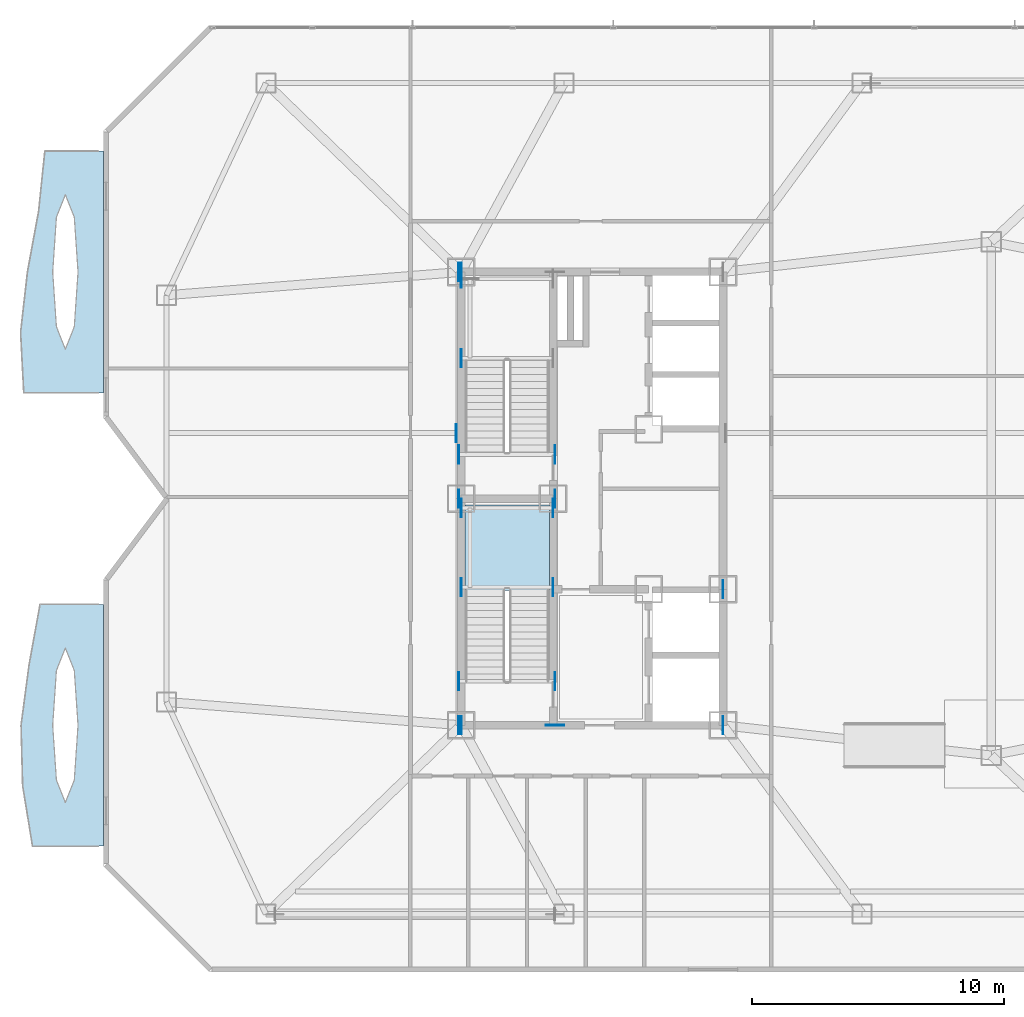
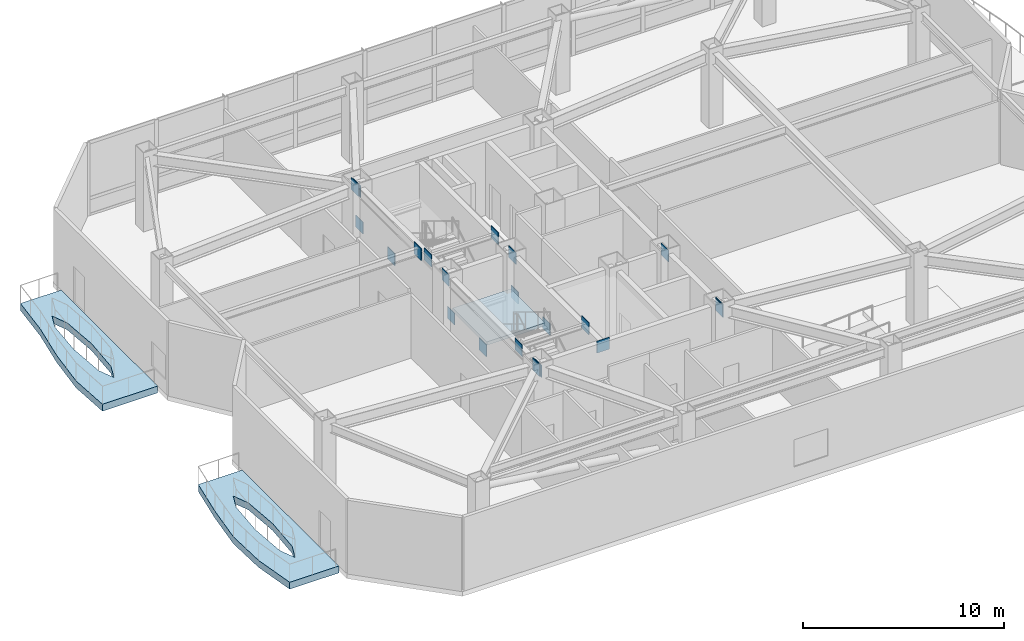
# One storey, part 5 of 16: 21 plates, 3 slabs, 1 element without a shape of its own.
"""IFC4 building model written with IfcOpenShell, lengths in metres."""

from ifc_helpers import new_model, si_unit, direction, frame, origin, origin_2d, place, context, subcontext, project, spatial, polyline, rectangle, outline, extrude, material, layer, layer_set, type_object, element, aggregate, save


model = new_model("IFC4")

# Units and contexts
model_context = context("Model", 3, precision=1e-05, world=origin(), true_north=direction((0.0, 1.0)))
body_context = subcontext(model_context, "Body", "Model", "MODEL_VIEW")
ifc_project = project(units=[si_unit("LENGTHUNIT", "METRE"), si_unit("AREAUNIT", "SQUARE_METRE"), si_unit("VOLUMEUNIT", "CUBIC_METRE"), si_unit("PLANEANGLEUNIT", "RADIAN"), si_unit("MASSUNIT", "GRAM", prefix="KILO")], contexts=[model_context])

# Site, building, storey
site_placement = place(None, origin())
site = spatial("IfcSite", under=ifc_project, at=site_placement, CompositionType="ELEMENT")
building_placement = place(site_placement, origin())
building = spatial("IfcBuilding", under=site, at=building_placement, Name="Khamvora Tower", CompositionType="ELEMENT")
storey_placement = place(building_placement, frame((0.0, 0.0, 207.0)))
storey = spatial("IfcBuildingStorey", under=building, at=storey_placement, Name="L53", CompositionType="ELEMENT", Elevation=207.0)

# Plates
ifc_material_1 = material(Name="Steel S460", Category="steel")
ifc_layer_1 = layer(ifc_material_1, 0.034912109375)
ifc_layer_set_1 = layer_set([ifc_layer_1], Name="Steel S460")
plate_type = type_object("IfcPlateType", Name="PL-EMB-35", PredefinedType="SHEET", material=ifc_layer_set_1)
for number, where, z_axis, x_axis, name in (
    (1, (29.0, 24.47509765625, 1.708984375), (0.0, 0.0, 1.0), (1.0, 0.0, 0.0), "L53 core shear wall cast-in embed plate 1534"),
    (2, (32.64990234375, 24.47509765625, 1.708984375), (0.0, 0.0, 1.0), (1.0, 0.0, 0.0), "L53 core shear wall cast-in embed plate 1535"),
    (3, (29.0, 27.6298828125, 1.708984375), (0.0, 0.0, 1.0), (1.0, 0.0, 0.0), "L53 core shear wall cast-in embed plate 1536"),
    (4, (32.64990234375, 27.6298828125, 1.708984375), (0.0, 0.0, 1.0), (1.0, 0.0, 0.0), "L53 core shear wall cast-in embed plate 1537"),
    (5, (29.0, 33.574951171875, 1.708984375), (0.0, 0.0, 1.0), (1.0, 0.0, 0.0), "L53 core shear wall cast-in embed plate 1538"),
    (6, (29.0, 36.72998046875, 1.708984375), (0.0, 0.0, 1.0), (1.0, 0.0, 0.0), "L53 core shear wall cast-in embed plate 1540"),
    (7, (29.0, 19.0, 3.77197265625), (0.0, 0.0, 1.0), (1.0, 0.0, 0.0), "L53 core shear wall cast-in embed plate 1543"),
    (8, (39.39990234375, 19.0, 3.77197265625), (0.0, 0.0, 1.0), (1.0, 0.0, 0.0), "L53 core shear wall cast-in embed plate 1544"),
    (9, (29.0, 37.0, 3.77197265625), (0.0, 0.0, 1.0), (1.0, 0.0, 0.0), "L53 core shear wall cast-in embed plate 1545"),
    (10, (28.89990234375, 19.0, 3.85302734375), (0.0, 0.0, 1.0), (1.0, 0.0, 0.0), "L53 core shear wall cast-in embed plate 1547"),
    (11, (28.89990234375, 28.0, 3.85302734375), (0.0, 0.0, 1.0), (1.0, 0.0, 0.0), "L53 core shear wall cast-in embed plate 1548"),
    (12, (28.89990234375, 37.0, 3.85302734375), (0.0, 0.0, 1.0), (1.0, 0.0, 0.0), "L53 core shear wall cast-in embed plate 1549"),
):
    element("IfcPlate", number, at=place(storey_placement, frame(where, z_axis=z_axis, x_axis=x_axis)), inside=storey, type_object=plate_type, Name=name, PredefinedType="SHEET", context=body_context, shape_type="SweptSolid", body=[
        extrude(rectangle(XDim=0.034912109375, YDim=0.719970703125, at=origin_2d()), origin(), (0.0, 0.0, 1.0), 0.719970703125),
    ])
plate_placement = place(storey_placement, frame((32.72998046875, 19.0, 3.85302734375), z_axis=(0.0, 0.0, 1.0), x_axis=(1.0, 0.0, 0.0)))
element("IfcPlate", 13, at=plate_placement, inside=storey, type_object=plate_type, Name="L53 core shear wall cast-in embed plate 1550", PredefinedType="SHEET", context=body_context, shape_type="SweptSolid", body=[
    extrude(rectangle(XDim=0.719970703125, YDim=0.034912109375, at=origin_2d()), origin(), (0.0, 0.0, 1.0), 0.719970703125),
])
for number, where, z_axis, x_axis, name in (
    (14, (32.72998046875, 28.0, 3.85302734375), (0.0, 0.0, 1.0), (1.0, 0.0, 0.0), "L53 core shear wall cast-in embed plate 1551"),
    (15, (39.39990234375, 19.0, 3.85302734375), (0.0, 0.0, 1.0), (1.0, 0.0, 0.0), "L53 core shear wall cast-in embed plate 1553"),
    (16, (39.39990234375, 24.39990234375, 3.85302734375), (0.0, 0.0, 1.0), (1.0, 0.0, 0.0), "L53 core shear wall cast-in embed plate 1554"),
    (17, (28.89990234375, 20.75, 3.994140625), (0.0, 0.0, 1.0), (1.0, 0.0, 0.0), "L53 core shear wall cast-in embed plate 1556"),
    (18, (32.72998046875, 20.75, 3.994140625), (0.0, 0.0, 1.0), (1.0, 0.0, 0.0), "L53 core shear wall cast-in embed plate 1557"),
    (19, (28.89990234375, 29.75, 3.994140625), (0.0, 0.0, 1.0), (1.0, 0.0, 0.0), "L53 core shear wall cast-in embed plate 1558"),
    (20, (32.72998046875, 29.75, 3.994140625), (0.0, 0.0, 1.0), (1.0, 0.0, 0.0), "L53 core shear wall cast-in embed plate 1559"),
    (21, (28.800048828125, 30.60009765625, 3.88818359375), (0.0, 0.0, 1.0), (1.0, 0.0, 0.0), "L53 core shear wall cast-in embed plate 1560"),
):
    element("IfcPlate", number, at=place(storey_placement, frame(where, z_axis=z_axis, x_axis=x_axis)), inside=storey, type_object=plate_type, Name=name, PredefinedType="SHEET", context=body_context, shape_type="SweptSolid", body=[
        extrude(rectangle(XDim=0.034912109375, YDim=0.719970703125, at=origin_2d()), origin(), (0.0, 0.0, 1.0), 0.719970703125),
    ])

# Slabs
ifc_material_2 = material(Name="Concrete C40/50", Category="concrete")
ifc_layer_2 = layer(ifc_material_2, 0.419921875)
ifc_layer_set_2 = layer_set([ifc_layer_2], Name="Concrete C40/50")
slab_type_1 = type_object("IfcSlabType", Name="SLB-GRD-420", PredefinedType="FLOOR", material=ifc_layer_set_2)
slab_1_placement = place(storey_placement, frame((0.0, 0.0, -0.419921875)))
element("IfcSlab", 22, at=slab_1_placement, inside=storey, type_object=slab_type_1, Name="L53 external lens gallery slab WL1", PredefinedType="FLOOR", context=body_context, shape_type="SweptSolid", body=[
    extrude(outline(polyline([(14.800048828125, 14.199951171875), (14.800048828125, 23.800048828125), (12.280029296875, 23.800048828125), (11.843994140625, 21.39990234375), (11.52587890625, 19.0), (11.589111328125, 16.60009765625), (11.97998046875, 14.199951171875), (14.800048828125, 14.199951171875)]), holes=[polyline([(13.7890625, 19.0), (13.64111328125, 21.172119140625), (13.284912109375, 22.072021484375), (12.928955078125, 21.172119140625), (12.781005859375, 19.0), (12.928955078125, 16.827880859375), (13.284912109375, 15.927978515625), (13.64111328125, 16.827880859375), (13.7890625, 19.0)])]), origin(), (0.0, 0.0, 1.0), 0.419921875),
])
slab_2_placement = place(storey_placement, frame((0.0, 0.0, -0.419921875)))
element("IfcSlab", 23, at=slab_2_placement, inside=storey, type_object=slab_type_1, Name="L53 external lens gallery slab WL2", PredefinedType="FLOOR", context=body_context, shape_type="SweptSolid", body=[
    extrude(outline(polyline([(14.800048828125, 32.199951171875), (14.800048828125, 41.800048828125), (12.470947265625, 41.800048828125), (12.220947265625, 39.39990234375), (11.779052734375, 37.0), (11.508056640625, 34.60009765625), (11.633056640625, 32.199951171875), (14.800048828125, 32.199951171875)]), holes=[polyline([(13.7890625, 37.0), (13.64111328125, 39.172119140625), (13.284912109375, 40.072021484375), (12.928955078125, 39.172119140625), (12.781005859375, 37.0), (12.928955078125, 34.827880859375), (13.284912109375, 33.927978515625), (13.64111328125, 34.827880859375), (13.7890625, 37.0)])]), origin(), (0.0, 0.0, 1.0), 0.419921875),
])

# Stair, slab
stair_type = type_object("IfcStairType", Name="STR-ST-01", PredefinedType="HALF_TURN_STAIR", material=ifc_material_2)
stair_placement = place(storey_placement, origin())
stair = element("IfcStair", 24, at=stair_placement, inside=storey, type_object=stair_type, Name="L53 South Tower Exit Stair ST-01", PredefinedType="HALF_TURN_STAIR")
ifc_layer_3 = layer(ifc_material_2, 0.199951171875)
ifc_layer_set_3 = layer_set([ifc_layer_3], Name="Concrete C40/50")
slab_type_2 = type_object("IfcSlabType", Name="SLB-LND-200", PredefinedType="LANDING", material=ifc_layer_set_3)
slab_3_placement = place(storey_placement, frame((0.0, 0.0, 2.199951171875)))
slab_3 = element("IfcSlab", 25, at=slab_3_placement, type_object=slab_type_2, Name="ST-01 landing 1", PredefinedType="LANDING", context=body_context, shape_type="SweptSolid", body=[
    extrude(outline(polyline([(32.5, 24.35498046875), (32.5, 27.75), (29.14990234375, 27.75), (29.14990234375, 24.35498046875), (32.5, 24.35498046875)])), origin(), (0.0, 0.0, 1.0), 0.199951171875),
])
aggregate(stair, [slab_3])

save(model, "model.ifc")
